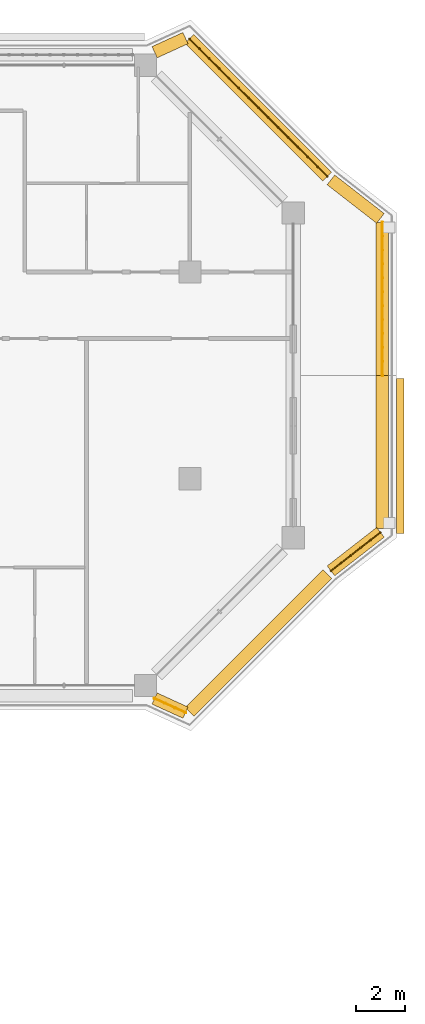
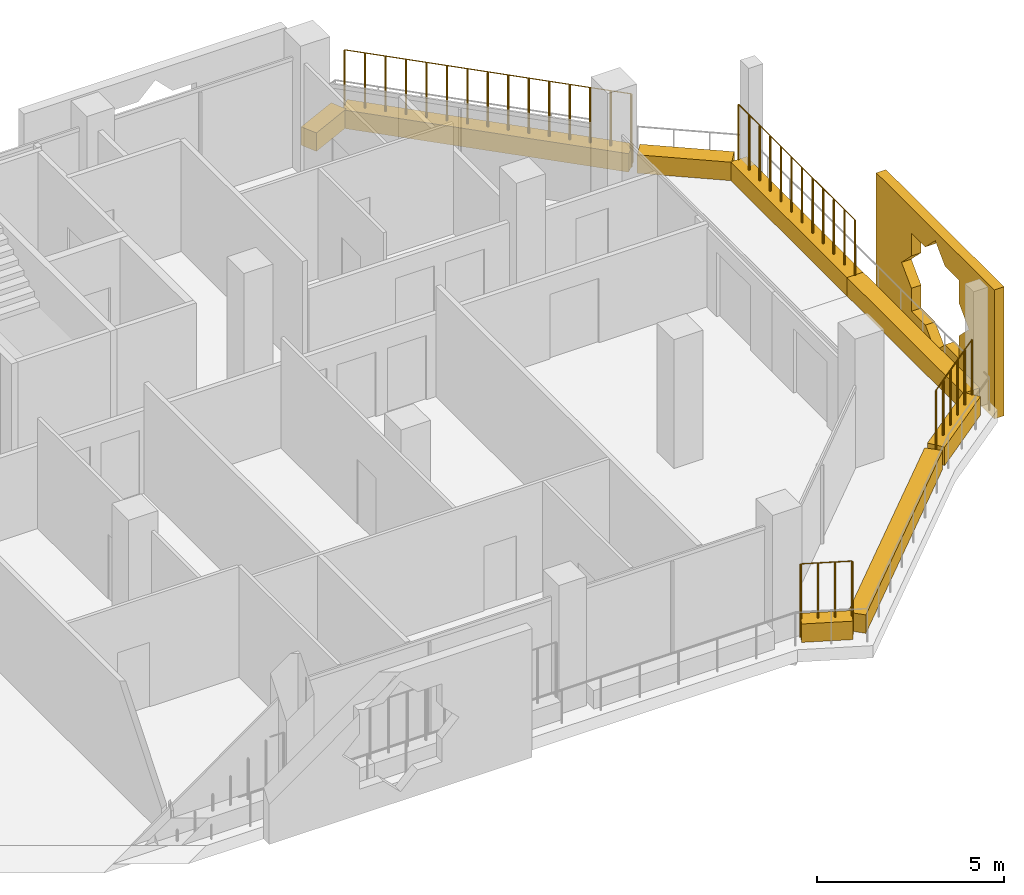
# One storey, part 21 of 21: 9 coverings, 4 railings.
"""IFC4 building model written with IfcOpenShell, lengths in metres."""

from ifc_helpers import new_model, si_unit, direction, frame, origin, origin_2d, place, context, subcontext, project, spatial, polyline, rectangle, circle, outline, extrude, material, material_profile, profile_set, type_object, element, save


model = new_model("IFC4")

# Units and contexts
model_context = context("Model", 3, precision=1e-05, world=origin(), true_north=direction((0.0, 1.0)))
body_context = subcontext(model_context, "Body", "Model", "MODEL_VIEW")
ifc_project = project(units=[si_unit("LENGTHUNIT", "METRE"), si_unit("AREAUNIT", "SQUARE_METRE"), si_unit("VOLUMEUNIT", "CUBIC_METRE"), si_unit("PLANEANGLEUNIT", "RADIAN"), si_unit("MASSUNIT", "GRAM", prefix="KILO")], contexts=[model_context])

# Site, building, storey
site_placement = place(None, origin())
site = spatial("IfcSite", under=ifc_project, at=site_placement, CompositionType="ELEMENT")
building_placement = place(site_placement, origin())
building = spatial("IfcBuilding", under=site, at=building_placement, Name="Kawkab Arch Medical Tower", CompositionType="ELEMENT")
storey_placement = place(building_placement, frame((0.0, 0.0, 260.0)))
storey = spatial("IfcBuildingStorey", under=building, at=storey_placement, Name="L60", CompositionType="ELEMENT", Elevation=260.0)

# Coverings
ifc_material_1 = material(Name="Bronze anodised aluminium mashrabiya panel, eight-point star pattern", Category="aluminium")
ifc_material_profile_1 = material_profile(ifc_material_1, outline(polyline([(-3.14990234375, -2.10009765625), (3.14990234375, -2.10009765625), (3.14990234375, 2.10009765625), (-3.14990234375, 2.10009765625), (-3.14990234375, -2.10009765625)]), holes=[polyline([(1.800048828125, 0.0), (1.272705078125, 0.527099609375), (1.272705078125, 1.272705078125), (0.527099609375, 1.272705078125), (0.0, 1.800048828125), (-0.527099609375, 1.272705078125), (-1.272705078125, 1.272705078125), (-1.272705078125, 0.527099609375), (-1.800048828125, 0.0), (-1.272705078125, -0.527099609375), (-1.272705078125, -1.272705078125), (-0.527099609375, -1.272705078125), (0.0, -1.800048828125), (0.527099609375, -1.272705078125), (1.272705078125, -1.272705078125), (1.272705078125, -0.527099609375), (1.800048828125, 0.0)])]), Name="Mashrabiya panel 6300x4200")
ifc_profile_set_1 = profile_set([ifc_material_profile_1], Name="Bronze anodised aluminium mashrabiya panel, eight-point star pattern")
covering_type_1 = type_object("IfcCoveringType", Name="Mashrabiya panel 6300 x 4200", PredefinedType="USERDEFINED", material=ifc_profile_set_1)
covering_1_placement = place(storey_placement, frame((67.199951171875, -15.877685546875, 1.699951171875), z_axis=(1.0, 0.0, 0.0), x_axis=(0.0, 1.0, 0.0)))
element("IfcCovering", 1, at=covering_1_placement, inside=storey, type_object=covering_type_1, Name="Mashrabiya panel L60.LOG-01-01.9", ObjectType="SCREEN", PredefinedType="USERDEFINED", context=body_context, shape_type="SweptSolid", body=[
    extrude(outline(polyline([(-3.14990234375, -2.10009765625), (3.14990234375, -2.10009765625), (3.14990234375, 2.10009765625), (-3.14990234375, 2.10009765625), (-3.14990234375, -2.10009765625)]), holes=[polyline([(1.800048828125, 0.0), (1.272705078125, 0.527099609375), (1.272705078125, 1.272705078125), (0.527099609375, 1.272705078125), (0.0, 1.800048828125), (-0.527099609375, 1.272705078125), (-1.272705078125, 1.272705078125), (-1.272705078125, 0.527099609375), (-1.800048828125, 0.0), (-1.272705078125, -0.527099609375), (-1.272705078125, -1.272705078125), (-0.527099609375, -1.272705078125), (0.0, -1.800048828125), (0.527099609375, -1.272705078125), (1.272705078125, -1.272705078125), (1.272705078125, -0.527099609375), (1.800048828125, 0.0)])]), origin(), (0.0, 0.0, 1.0), 0.300048828125),
])
ifc_material_2 = material(Name="Planting soil in a precast trough", Category="concrete")
ifc_material_profile_2 = material_profile(ifc_material_2, rectangle(XDim=0.5, YDim=0.60009765625, at=origin_2d()), Name="Trough 500x600")
ifc_profile_set_2 = profile_set([ifc_material_profile_2], Name="Planting soil in a precast trough")
covering_type_2 = type_object("IfcCoveringType", Name="Planter trough 500 x 600", PredefinedType="USERDEFINED", material=ifc_profile_set_2)
covering_2_placement = place(storey_placement, frame((57.366943359375, 0.530029296875, 0.300048828125), z_axis=(0.909831953447, 0.41497688669, 0.0), x_axis=(-0.41497688669, 0.909831953447, 0.0)))
element("IfcCovering", 2, at=covering_2_placement, inside=storey, type_object=covering_type_2, Name="Planter L60.LOG-01-01.24", ObjectType="PLANTER", PredefinedType="USERDEFINED", context=body_context, shape_type="SweptSolid", body=[
    extrude(rectangle(XDim=0.5, YDim=0.60009765625, at=origin_2d()), origin(), (0.0, 0.0, 1.0), 1.37841796875),
])
covering_3_placement = place(storey_placement, frame((58.782958984375, 1.072998046875, 0.300048828125), z_axis=(0.707106781187, -0.707106781187, 0.0), x_axis=(0.707106781187, 0.707106781187, 0.0)))
element("IfcCovering", 3, at=covering_3_placement, inside=storey, type_object=covering_type_2, Name="Planter L60.LOG-01-01.25", ObjectType="PLANTER", PredefinedType="USERDEFINED", context=body_context, shape_type="SweptSolid", body=[
    extrude(rectangle(XDim=0.5, YDim=0.60009765625, at=origin_2d()), origin(), (0.0, 0.0, 1.0), 7.919677734375),
])
covering_4_placement = place(storey_placement, frame((64.531982421875, -4.658935546875, 0.300048828125), z_axis=(0.789274742246, -0.61404021143, 0.0), x_axis=(0.61404021143, 0.789274742246, 0.0)))
element("IfcCovering", 4, at=covering_4_placement, inside=storey, type_object=covering_type_2, Name="Planter L60.LOG-01-01.26", ObjectType="PLANTER", PredefinedType="USERDEFINED", context=body_context, shape_type="SweptSolid", body=[
    extrude(rectangle(XDim=0.5, YDim=0.60009765625, at=origin_2d()), origin(), (0.0, 0.0, 1.0), 2.54541015625),
])
covering_5_placement = place(storey_placement, frame((66.6201171875, -6.384033203125, 0.300048828125), z_axis=(0.0, -1.0, 0.0), x_axis=(1.0, 0.0, 0.0)))
element("IfcCovering", 5, at=covering_5_placement, inside=storey, type_object=covering_type_2, Name="Planter L60.LOG-01-01.27", ObjectType="PLANTER", PredefinedType="USERDEFINED", context=body_context, shape_type="SweptSolid", body=[
    extrude(rectangle(XDim=0.5, YDim=0.60009765625, at=origin_2d()), origin(), (0.0, 0.0, 1.0), 6.216064453125),
])
covering_6_placement = place(storey_placement, frame((66.6201171875, -12.60009765625, 0.300048828125), z_axis=(0.0, -1.0, 0.0), x_axis=(1.0, 0.0, 0.0)))
element("IfcCovering", 6, at=covering_6_placement, inside=storey, type_object=covering_type_2, Name="Planter L60.LOG-01-01.28", ObjectType="PLANTER", PredefinedType="USERDEFINED", context=body_context, shape_type="SweptSolid", body=[
    extrude(rectangle(XDim=0.5, YDim=0.60009765625, at=origin_2d()), origin(), (0.0, 0.0, 1.0), 6.2158203125),
])
covering_7_placement = place(storey_placement, frame((66.541015625, -18.97802734375, 0.300048828125), z_axis=(-0.789274742246, -0.61404021143, 0.0), x_axis=(0.61404021143, -0.789274742246, 0.0)))
element("IfcCovering", 7, at=covering_7_placement, inside=storey, type_object=covering_type_2, Name="Planter L60.LOG-01-01.29", ObjectType="PLANTER", PredefinedType="USERDEFINED", context=body_context, shape_type="SweptSolid", body=[
    extrude(rectangle(XDim=0.5, YDim=0.60009765625, at=origin_2d()), origin(), (0.0, 0.0, 1.0), 2.54541015625),
])
covering_8_placement = place(storey_placement, frame((64.383056640625, -20.673095703125, 0.300048828125), z_axis=(-0.70712219479, -0.707091367247, 0.0), x_axis=(0.707091367247, -0.70712219479, 0.0)))
element("IfcCovering", 8, at=covering_8_placement, inside=storey, type_object=covering_type_2, Name="Planter L60.LOG-01-01.30", ObjectType="PLANTER", PredefinedType="USERDEFINED", context=body_context, shape_type="SweptSolid", body=[
    extrude(rectangle(XDim=0.5, YDim=0.60009765625, at=origin_2d()), origin(), (0.0, 0.0, 1.0), 7.919677734375),
])
covering_9_placement = place(storey_placement, frame((58.62109375, -26.302001953125, 0.300048828125), z_axis=(-0.909831953447, 0.41497688669, 0.0), x_axis=(-0.41497688669, -0.909831953447, 0.0)))
element("IfcCovering", 9, at=covering_9_placement, inside=storey, type_object=covering_type_2, Name="Planter L60.LOG-01-01.31", ObjectType="PLANTER", PredefinedType="USERDEFINED", context=body_context, shape_type="SweptSolid", body=[
    extrude(rectangle(XDim=0.5, YDim=0.60009765625, at=origin_2d()), origin(), (0.0, 0.0, 1.0), 1.37841796875),
])

# Railings
ifc_material_3 = material(Name="Bronze anodised aluminium trellis for climbing plants", Category="aluminium")
railing_type = type_object("IfcRailingType", Name="Planting trellis 2400", PredefinedType="USERDEFINED", material=ifc_material_3)
railing_1_placement = place(storey_placement, frame((58.782958984375, 1.072998046875, 0.0)))
element("IfcRailing", 10, at=railing_1_placement, inside=storey, type_object=railing_type, Name="Planting trellis L60.LOG-01-01.25", ObjectType="TRELLIS", PredefinedType="USERDEFINED", context=body_context, shape_type="SweptSolid", body=[
    extrude(circle(Radius=0.01513671875, at=origin_2d()), frame((0.0, 0.0, 2.384765625), z_axis=(0.707106781187, -0.707106781187, 0.0), x_axis=(0.707106781187, 0.707106781187, 0.0)), (0.0, 0.0, 1.0), 7.919677734375),
    extrude(circle(Radius=0.030029296875, at=origin_2d()), origin(), (0.0, 0.0, 1.0), 2.369873046875),
    extrude(circle(Radius=0.030029296875, at=origin_2d()), frame((0.39990234375, -0.39990234375, 0.0)), (0.0, 0.0, 1.0), 2.369873046875),
    extrude(circle(Radius=0.030029296875, at=origin_2d()), frame((0.800048828125, -0.800048828125, 0.0)), (0.0, 0.0, 1.0), 2.369873046875),
    extrude(circle(Radius=0.030029296875, at=origin_2d()), frame((1.199951171875, -1.199951171875, 0.0)), (0.0, 0.0, 1.0), 2.369873046875),
    extrude(circle(Radius=0.030029296875, at=origin_2d()), frame((1.60009765625, -1.60009765625, 0.0)), (0.0, 0.0, 1.0), 2.369873046875),
    extrude(circle(Radius=0.030029296875, at=origin_2d()), frame((2.0, -2.0, 0.0)), (0.0, 0.0, 1.0), 2.369873046875),
    extrude(circle(Radius=0.030029296875, at=origin_2d()), frame((2.400146484375, -2.400146484375, 0.0)), (0.0, 0.0, 1.0), 2.369873046875),
    extrude(circle(Radius=0.030029296875, at=origin_2d()), frame((2.800048828125, -2.800048828125, 0.0)), (0.0, 0.0, 1.0), 2.369873046875),
    extrude(circle(Radius=0.030029296875, at=origin_2d()), frame((3.199951171875, -3.199951171875, 0.0)), (0.0, 0.0, 1.0), 2.369873046875),
    extrude(circle(Radius=0.030029296875, at=origin_2d()), frame((3.60009765625, -3.60009765625, 0.0)), (0.0, 0.0, 1.0), 2.369873046875),
    extrude(circle(Radius=0.030029296875, at=origin_2d()), frame((4.0, -4.0, 0.0)), (0.0, 0.0, 1.0), 2.369873046875),
    extrude(circle(Radius=0.030029296875, at=origin_2d()), frame((4.400146484375, -4.400146484375, 0.0)), (0.0, 0.0, 1.0), 2.369873046875),
    extrude(circle(Radius=0.030029296875, at=origin_2d()), frame((4.800048828125, -4.800048828125, 0.0)), (0.0, 0.0, 1.0), 2.369873046875),
    extrude(circle(Radius=0.030029296875, at=origin_2d()), frame((5.2001953125, -5.2001953125, 0.0)), (0.0, 0.0, 1.0), 2.369873046875),
    extrude(circle(Radius=0.030029296875, at=origin_2d()), frame((5.60009765625, -5.60009765625, 0.0)), (0.0, 0.0, 1.0), 2.369873046875),
])
railing_2_placement = place(storey_placement, frame((66.6201171875, -6.384033203125, 0.0)))
element("IfcRailing", 11, at=railing_2_placement, inside=storey, type_object=railing_type, Name="Planting trellis L60.LOG-01-01.27", ObjectType="TRELLIS", PredefinedType="USERDEFINED", context=body_context, shape_type="SweptSolid", body=[
    extrude(circle(Radius=0.01513671875, at=origin_2d()), frame((0.0, 0.0, 2.384765625), z_axis=(0.0, -1.0, 0.0), x_axis=(1.0, 0.0, 0.0)), (0.0, 0.0, 1.0), 6.216064453125),
    extrude(circle(Radius=0.030029296875, at=origin_2d()), origin(), (0.0, 0.0, 1.0), 2.369873046875),
    extrude(circle(Radius=0.030029296875, at=origin_2d()), frame((0.0, -0.565185546875, 0.0)), (0.0, 0.0, 1.0), 2.369873046875),
    extrude(circle(Radius=0.030029296875, at=origin_2d()), frame((0.0, -1.130126953125, 0.0)), (0.0, 0.0, 1.0), 2.369873046875),
    extrude(circle(Radius=0.030029296875, at=origin_2d()), frame((0.0, -1.6953125, 0.0)), (0.0, 0.0, 1.0), 2.369873046875),
    extrude(circle(Radius=0.030029296875, at=origin_2d()), frame((0.0, -2.260498046875, 0.0)), (0.0, 0.0, 1.0), 2.369873046875),
    extrude(circle(Radius=0.030029296875, at=origin_2d()), frame((0.0, -2.825439453125, 0.0)), (0.0, 0.0, 1.0), 2.369873046875),
    extrude(circle(Radius=0.030029296875, at=origin_2d()), frame((0.0, -3.390625, 0.0)), (0.0, 0.0, 1.0), 2.369873046875),
    extrude(circle(Radius=0.030029296875, at=origin_2d()), frame((0.0, -3.95556640625, 0.0)), (0.0, 0.0, 1.0), 2.369873046875),
    extrude(circle(Radius=0.030029296875, at=origin_2d()), frame((0.0, -4.520751953125, 0.0)), (0.0, 0.0, 1.0), 2.369873046875),
    extrude(circle(Radius=0.030029296875, at=origin_2d()), frame((0.0, -5.0859375, 0.0)), (0.0, 0.0, 1.0), 2.369873046875),
    extrude(circle(Radius=0.030029296875, at=origin_2d()), frame((0.0, -5.65087890625, 0.0)), (0.0, 0.0, 1.0), 2.369873046875),
    extrude(circle(Radius=0.030029296875, at=origin_2d()), frame((0.0, -6.216064453125, 0.0)), (0.0, 0.0, 1.0), 2.369873046875),
])
railing_3_placement = place(storey_placement, frame((66.541015625, -18.97802734375, 0.0)))
element("IfcRailing", 12, at=railing_3_placement, inside=storey, type_object=railing_type, Name="Planting trellis L60.LOG-01-01.29", ObjectType="TRELLIS", PredefinedType="USERDEFINED", context=body_context, shape_type="SweptSolid", body=[
    extrude(circle(Radius=0.01513671875, at=origin_2d()), frame((0.0, 0.0, 2.384765625), z_axis=(-0.789274742246, -0.61404021143, 0.0), x_axis=(0.61404021143, -0.789274742246, 0.0)), (0.0, 0.0, 1.0), 2.54541015625),
    extrude(circle(Radius=0.030029296875, at=origin_2d()), origin(), (0.0, 0.0, 1.0), 2.369873046875),
    extrude(circle(Radius=0.030029296875, at=origin_2d()), frame((-0.40185546875, -0.3125, 0.0)), (0.0, 0.0, 1.0), 2.369873046875),
    extrude(circle(Radius=0.030029296875, at=origin_2d()), frame((-0.8037109375, -0.625244140625, 0.0)), (0.0, 0.0, 1.0), 2.369873046875),
    extrude(circle(Radius=0.030029296875, at=origin_2d()), frame((-1.205322265625, -0.937744140625, 0.0)), (0.0, 0.0, 1.0), 2.369873046875),
    extrude(circle(Radius=0.030029296875, at=origin_2d()), frame((-1.607177734375, -1.25048828125, 0.0)), (0.0, 0.0, 1.0), 2.369873046875),
    extrude(circle(Radius=0.030029296875, at=origin_2d()), frame((-2.009033203125, -1.56298828125, 0.0)), (0.0, 0.0, 1.0), 2.369873046875),
])
railing_4_placement = place(storey_placement, frame((58.62109375, -26.302001953125, 0.0)))
element("IfcRailing", 13, at=railing_4_placement, inside=storey, type_object=railing_type, Name="Planting trellis L60.LOG-01-01.31", ObjectType="TRELLIS", PredefinedType="USERDEFINED", context=body_context, shape_type="SweptSolid", body=[
    extrude(circle(Radius=0.01513671875, at=origin_2d()), frame((0.0, 0.0, 2.384765625), z_axis=(-0.909831953447, 0.41497688669, 0.0), x_axis=(-0.41497688669, -0.909831953447, 0.0)), (0.0, 0.0, 1.0), 1.37841796875),
    extrude(circle(Radius=0.030029296875, at=origin_2d()), origin(), (0.0, 0.0, 1.0), 2.369873046875),
    extrude(circle(Radius=0.030029296875, at=origin_2d()), frame((-0.41796875, 0.190673828125, 0.0)), (0.0, 0.0, 1.0), 2.369873046875),
    extrude(circle(Radius=0.030029296875, at=origin_2d()), frame((-0.836181640625, 0.38134765625, 0.0)), (0.0, 0.0, 1.0), 2.369873046875),
    extrude(circle(Radius=0.030029296875, at=origin_2d()), frame((-1.254150390625, 0.572021484375, 0.0)), (0.0, 0.0, 1.0), 2.369873046875),
])

save(model, "model.ifc")
